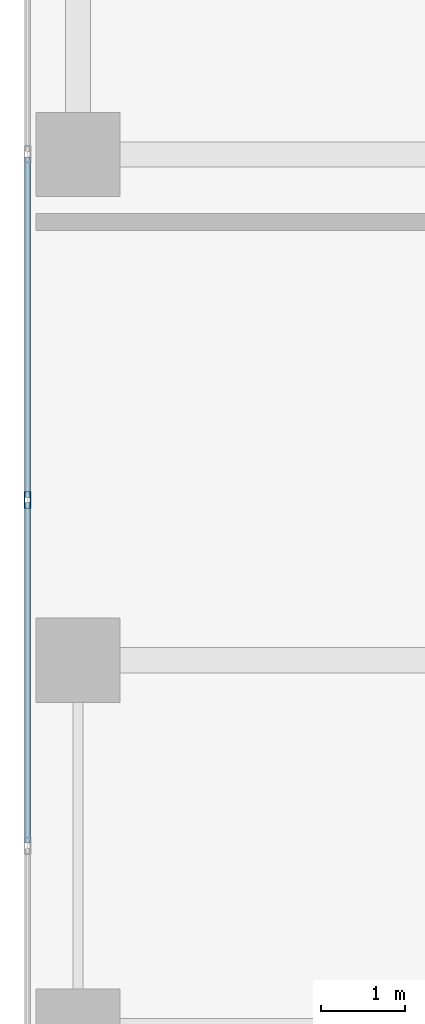
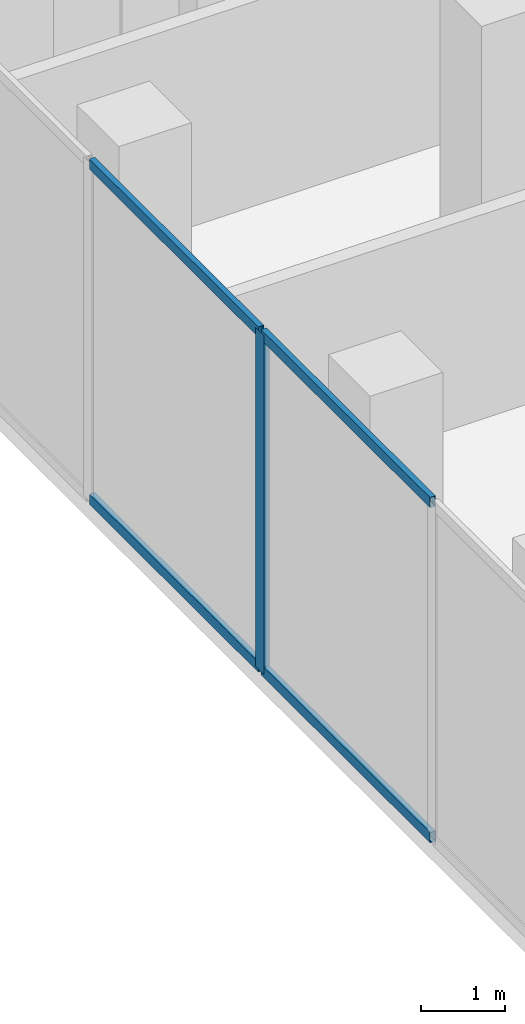
# One storey, part 6 of 24: 5 members, 1 element without a shape of its own.
"""IFC4 building model written with IfcOpenShell, lengths in metres."""

from ifc_helpers import new_model, si_unit, direction, frame, origin, origin_2d, place, context, subcontext, project, spatial, hollow_rectangle, extrude, material, layer, layer_set, material_profile, profile_set, type_object, element, aggregate, save


model = new_model("IFC4")

# Units and contexts
model_context = context("Model", 3, precision=1e-05, world=origin(), true_north=direction((0.0, 1.0)))
body_context = subcontext(model_context, "Body", "Model", "MODEL_VIEW")
ifc_project = project(units=[si_unit("LENGTHUNIT", "METRE"), si_unit("AREAUNIT", "SQUARE_METRE"), si_unit("VOLUMEUNIT", "CUBIC_METRE"), si_unit("PLANEANGLEUNIT", "RADIAN"), si_unit("MASSUNIT", "GRAM", prefix="KILO")], contexts=[model_context])

# Site, building, storey
site_placement = place(None, origin())
site = spatial("IfcSite", under=ifc_project, at=site_placement, CompositionType="ELEMENT")
building_placement = place(site_placement, origin())
building = spatial("IfcBuilding", under=site, at=building_placement, Name="Catumbela Crestline Tower", CompositionType="ELEMENT")
storey_placement = place(building_placement, frame((0.0, 0.0, 15.9)))
storey = spatial("IfcBuildingStorey", under=building, at=storey_placement, Name="L03", CompositionType="ELEMENT", Elevation=15.9)

# Curtain wall, members
ifc_material = material(Name="Aluminium alloy AW-6060-T66", Category="aluminium")
ifc_layer = layer(ifc_material, 0.18, Name="Aluminium alloy AW-6060-T66")
ifc_layer_set = layer_set([ifc_layer], Name="Aluminium alloy AW-6060-T66")
curtain_wall_type = type_object("IfcCurtainWallType", Name="CWS-POD", PredefinedType="USERDEFINED", material=ifc_layer_set)
curtain_wall_placement = place(storey_placement, origin())
curtain_wall = element("IfcCurtainWall", 1, at=curtain_wall_placement, inside=storey, type_object=curtain_wall_type, Name="L03 Stick Curtain Wall CW-L03-E9S1", ObjectType="STICK", PredefinedType="USERDEFINED")
ifc_material_profile_1 = material_profile(ifc_material, hollow_rectangle(XDim=0.075, YDim=0.2, WallThickness=0.005, at=origin_2d()), Name="ALU 200x75x5")
ifc_profile_set_1 = profile_set([ifc_material_profile_1], Name="Aluminium alloy AW-6060-T66")
member_type_1 = type_object("IfcMemberType", Name="MUL-200X75", PredefinedType="MULLION", material=ifc_profile_set_1)
member_1_placement = place(storey_placement, frame((0.0, 19.9, 0.0), z_axis=(0.0, 0.0, 1.0), x_axis=(1.0, 0.0, 0.0)))
member_1 = element("IfcMember", 2, at=member_1_placement, type_object=member_type_1, Name="CWS-POD mullion 7", PredefinedType="MULLION", context=body_context, shape_type="SweptSolid", body=[
    extrude(hollow_rectangle(XDim=0.075, YDim=0.2, WallThickness=0.005, at=origin_2d()), origin(), (0.0, 0.0, 1.0), 4.94),
])
ifc_material_profile_2 = material_profile(ifc_material, hollow_rectangle(XDim=0.075, YDim=0.15, WallThickness=0.0045, at=origin_2d()), Name="ALU 150x75x4.5")
ifc_profile_set_2 = profile_set([ifc_material_profile_2], Name="Aluminium alloy AW-6060-T66")
member_type_2 = type_object("IfcMemberType", Name="TRN-150X75", PredefinedType="USERDEFINED", material=ifc_profile_set_2)
member_2_placement = place(storey_placement, frame((0.0, 23.9675, 0.03), z_axis=(0.0, -1.0, 0.0), x_axis=(1.0, 0.0, 0.0)))
member_2 = element("IfcMember", 3, at=member_2_placement, type_object=member_type_2, Name="CWS-POD transom 6.1", ObjectType="TRANSOM", PredefinedType="USERDEFINED", context=body_context, shape_type="SweptSolid", body=[
    extrude(hollow_rectangle(XDim=0.075, YDim=0.15, WallThickness=0.0045, at=origin_2d()), origin(), (0.0, 0.0, 1.0), 4.035),
])
member_3_placement = place(storey_placement, frame((0.0, 23.9675, 4.91), z_axis=(0.0, -1.0, 0.0), x_axis=(1.0, 0.0, 0.0)))
member_3 = element("IfcMember", 4, at=member_3_placement, type_object=member_type_2, Name="CWS-POD transom 6.2", ObjectType="TRANSOM", PredefinedType="USERDEFINED", context=body_context, shape_type="SweptSolid", body=[
    extrude(hollow_rectangle(XDim=0.075, YDim=0.15, WallThickness=0.0045, at=origin_2d()), origin(), (0.0, 0.0, 1.0), 4.035),
])
member_4_placement = place(storey_placement, frame((0.0, 19.8675, 0.03), z_axis=(0.0, -1.0, 0.0), x_axis=(1.0, 0.0, 0.0)))
member_4 = element("IfcMember", 5, at=member_4_placement, type_object=member_type_2, Name="CWS-POD transom 7.1", ObjectType="TRANSOM", PredefinedType="USERDEFINED", context=body_context, shape_type="SweptSolid", body=[
    extrude(hollow_rectangle(XDim=0.075, YDim=0.15, WallThickness=0.0045, at=origin_2d()), origin(), (0.0, 0.0, 1.0), 4.035),
])
member_5_placement = place(storey_placement, frame((0.0, 19.8675, 4.91), z_axis=(0.0, -1.0, 0.0), x_axis=(1.0, 0.0, 0.0)))
member_5 = element("IfcMember", 6, at=member_5_placement, type_object=member_type_2, Name="CWS-POD transom 7.2", ObjectType="TRANSOM", PredefinedType="USERDEFINED", context=body_context, shape_type="SweptSolid", body=[
    extrude(hollow_rectangle(XDim=0.075, YDim=0.15, WallThickness=0.0045, at=origin_2d()), origin(), (0.0, 0.0, 1.0), 4.035),
])
aggregate(curtain_wall, [member_1, member_2, member_3, member_4, member_5])

save(model, "model.ifc")
